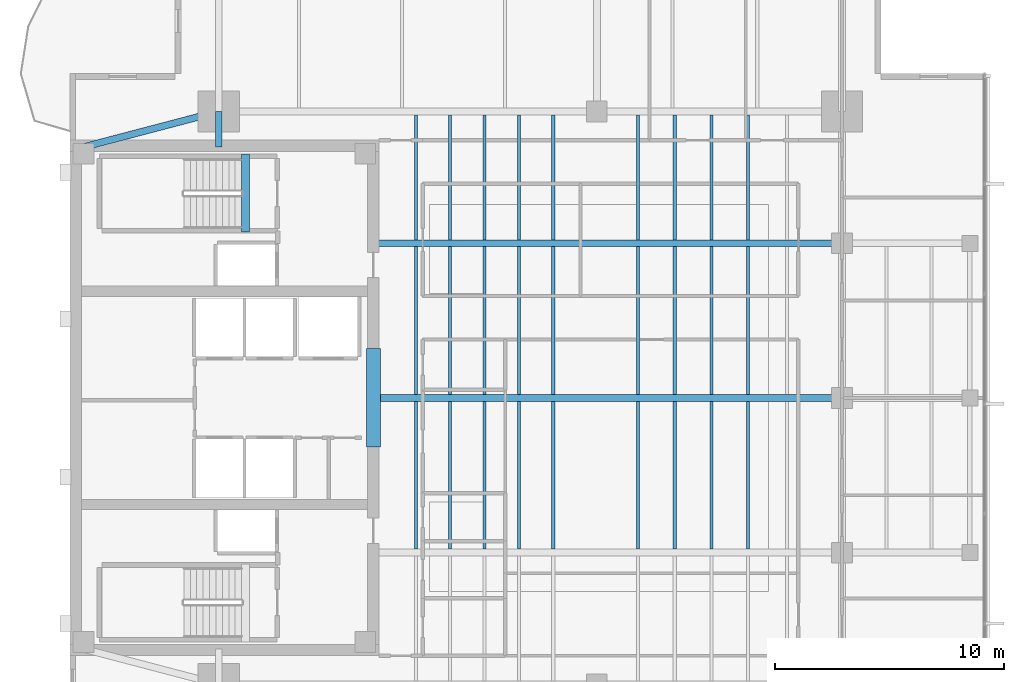
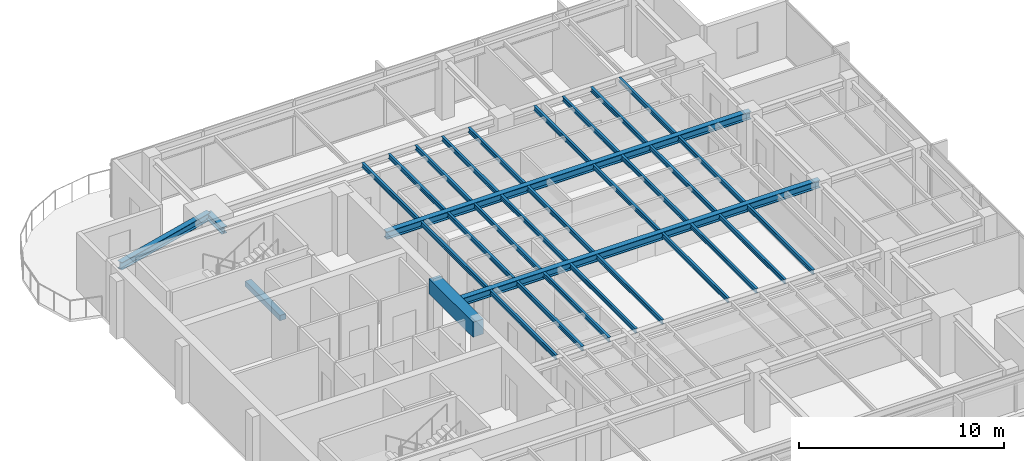
# One storey, part 3 of 13: 33 beams.
"""IFC4 building model written with IfcOpenShell, lengths in metres."""

from ifc_helpers import new_model, si_unit, direction, frame, origin, origin_2d, place, context, subcontext, project, spatial, rectangle, i_section, extrude, material, material_profile, profile_set, type_object, element, save


model = new_model("IFC4")

# Units and contexts
model_context = context("Model", 3, precision=1e-05, world=origin(), true_north=direction((0.0, 1.0)))
body_context = subcontext(model_context, "Body", "Model", "MODEL_VIEW")
ifc_project = project(units=[si_unit("LENGTHUNIT", "METRE"), si_unit("AREAUNIT", "SQUARE_METRE"), si_unit("VOLUMEUNIT", "CUBIC_METRE"), si_unit("PLANEANGLEUNIT", "RADIAN"), si_unit("MASSUNIT", "GRAM", prefix="KILO")], contexts=[model_context])

# Site, building, storey
site_placement = place(None, origin())
site = spatial("IfcSite", under=ifc_project, at=site_placement, CompositionType="ELEMENT")
building_placement = place(site_placement, origin())
building = spatial("IfcBuilding", under=site, at=building_placement, Name="Kinhvarn Gate Tower", CompositionType="ELEMENT")
storey_placement = place(building_placement, frame((0.0, 0.0, 288.300048828125)))
storey = spatial("IfcBuildingStorey", under=building, at=storey_placement, Name="L77", CompositionType="ELEMENT", Elevation=288.300048828125)

# Beams
ifc_material_1 = material(Name="Concrete C60/75", Category="concrete")
ifc_material_profile_1 = material_profile(ifc_material_1, rectangle(XDim=0.60009765625, YDim=0.89990234375, at=origin_2d()), Name="RC 600x900")
ifc_profile_set_1 = profile_set([ifc_material_profile_1], Name="Concrete C60/75")
beam_type_1 = type_object("IfcBeamType", Name="BM-CB-900", PredefinedType="LINTEL", material=ifc_profile_set_1)
beam_1_placement = place(storey_placement, frame((17.75, 23.10009765625, 2.93994140625), z_axis=(0.0, 1.0, 0.0), x_axis=(-1.0, 0.0, 0.0)))
element("IfcBeam", 1, at=beam_1_placement, inside=storey, type_object=beam_type_1, Name="Core East Portal Coupling Beam L77", PredefinedType="LINTEL", context=body_context, shape_type="SweptSolid", body=[
    extrude(rectangle(XDim=0.60009765625, YDim=0.89990234375, at=origin_2d()), origin(), (0.0, 0.0, 1.0), 4.2998046875),
])
ifc_material_2 = material(Name="Concrete C50/60", Category="concrete")
ifc_material_profile_2 = material_profile(ifc_material_2, rectangle(XDim=0.340087890625, YDim=0.320068359375, at=origin_2d()), Name="RC 340x320")
ifc_profile_set_2 = profile_set([ifc_material_profile_2], Name="Concrete C50/60")
beam_type_2 = type_object("IfcBeamType", Name="BM-LND-500", PredefinedType="BEAM", material=ifc_profile_set_2)
beam_2_placement = place(storey_placement, frame((12.1650390625, 32.5, -0.16015625), z_axis=(0.0, 1.0, 0.0), x_axis=(-1.0, 0.0, 0.0)))
element("IfcBeam", 2, at=beam_2_placement, inside=storey, type_object=beam_type_2, Name="Stair ST2 Landing Nosing Beam (L77)", PredefinedType="BEAM", context=body_context, shape_type="SweptSolid", body=[
    extrude(rectangle(XDim=0.340087890625, YDim=0.320068359375, at=origin_2d()), origin(), (0.0, 0.0, 1.0), 3.39990234375),
])
ifc_material_3 = material(Name="Steel S355", Category="steel")
ifc_material_profile_3 = material_profile(ifc_material_3, i_section(OverallWidth=0.300048828125, OverallDepth=0.39990234375, WebThickness=0.013427734375, FlangeThickness=0.02392578125, at=origin_2d()), Name="HEB 400")
ifc_profile_set_3 = profile_set([ifc_material_profile_3], Name="Steel S355")
beam_type_3 = type_object("IfcBeamType", Name="STL-HEB400", PredefinedType="BEAM", material=ifc_profile_set_3)
beam_3_placement = place(storey_placement, frame((11.0, 36.199951171875, 3.18994140625), z_axis=(0.0, 1.0, 0.0), x_axis=(-1.0, 0.0, 0.0)))
element("IfcBeam", 3, at=beam_3_placement, inside=storey, type_object=beam_type_3, Name="Floor Beam PG-12 (L77 MCW-CN)", PredefinedType="BEAM", context=body_context, shape_type="SweptSolid", body=[
    extrude(i_section(OverallWidth=0.300048828125, OverallDepth=0.39990234375, WebThickness=0.013427734375, FlangeThickness=0.02392578125, at=origin_2d()), origin(), (0.0, 0.0, 1.0), 1.550048828125),
])
ifc_material_profile_4 = material_profile(ifc_material_3, i_section(OverallWidth=0.300048828125, OverallDepth=0.449951171875, WebThickness=0.013916015625, FlangeThickness=0.02587890625, at=origin_2d()), Name="HEB 450")
ifc_profile_set_4 = profile_set([ifc_material_profile_4], Name="Steel S355")
beam_type_4 = type_object("IfcBeamType", Name="STL-HEB450", PredefinedType="BEAM", material=ifc_profile_set_4)
beam_4_placement = place(storey_placement, frame((5.10009765625, 36.199951171875, 3.1650390625), z_axis=(0.967177623957, 0.254101246979, 0.0), x_axis=(-0.254101246979, 0.967177623957, 0.0)))
element("IfcBeam", 4, at=beam_4_placement, inside=storey, type_object=beam_type_4, Name="Floor Beam PG-13 (L77 MG-NW-DIAG)", PredefinedType="BEAM", context=body_context, shape_type="SweptSolid", body=[
    extrude(i_section(OverallWidth=0.300048828125, OverallDepth=0.449951171875, WebThickness=0.013916015625, FlangeThickness=0.02587890625, at=origin_2d()), origin(), (0.0, 0.0, 1.0), 6.10009765625),
])
beam_5_placement = place(storey_placement, frame((18.050048828125, 25.25, 3.1650390625), z_axis=(1.0, 0.0, 0.0), x_axis=(0.0, 1.0, 0.0)))
element("IfcBeam", 5, at=beam_5_placement, inside=storey, type_object=beam_type_4, Name="Floor Beam PG-13 (L77 EW1-Y25)", PredefinedType="BEAM", context=body_context, shape_type="SweptSolid", body=[
    extrude(i_section(OverallWidth=0.300048828125, OverallDepth=0.449951171875, WebThickness=0.013916015625, FlangeThickness=0.02587890625, at=origin_2d()), origin(), (0.0, 0.0, 1.0), 20.14990234375),
])
beam_6_placement = place(storey_placement, frame((17.64990234375, 32.0, 3.1650390625), z_axis=(1.0, 0.0, 0.0), x_axis=(0.0, 1.0, 0.0)))
element("IfcBeam", 6, at=beam_6_placement, inside=storey, type_object=beam_type_4, Name="Floor Beam PG-13 (L77 EW1-Y32)", PredefinedType="BEAM", context=body_context, shape_type="SweptSolid", body=[
    extrude(i_section(OverallWidth=0.300048828125, OverallDepth=0.449951171875, WebThickness=0.013916015625, FlangeThickness=0.02587890625, at=origin_2d()), origin(), (0.0, 0.0, 1.0), 20.550048828125),
])
ifc_material_profile_5 = material_profile(ifc_material_3, i_section(OverallWidth=0.135009765625, OverallDepth=0.27001953125, WebThickness=0.006591796875, FlangeThickness=0.01025390625, at=origin_2d()), Name="IPE 270")
ifc_profile_set_5 = profile_set([ifc_material_profile_5], Name="Steel S355")
beam_type_5 = type_object("IfcBeamType", Name="STL-IPE270", PredefinedType="JOIST", material=ifc_profile_set_5)
for number, where, z_axis, x_axis, name in (
    (7, (19.60009765625, 18.64990234375, 3.2548828125), (0.0, 1.0, 0.0), (-1.0, 0.0, 0.0), "Floor Joist SB-01 (L77 JC-X196-1)"),
    (8, (19.60009765625, 25.39990234375, 3.2548828125), (0.0, 1.0, 0.0), (-1.0, 0.0, 0.0), "Floor Joist SB-01 (L77 JC-X196-2)"),
):
    element("IfcBeam", number, at=place(storey_placement, frame(where, z_axis=z_axis, x_axis=x_axis)), inside=storey, type_object=beam_type_5, Name=name, PredefinedType="JOIST", context=body_context, shape_type="SweptSolid", body=[
        extrude(i_section(OverallWidth=0.135009765625, OverallDepth=0.27001953125, WebThickness=0.006591796875, FlangeThickness=0.01025390625, at=origin_2d()), origin(), (0.0, 0.0, 1.0), 6.4501953125),
    ])
beam_7_placement = place(storey_placement, frame((19.60009765625, 32.14990234375, 3.2548828125), z_axis=(0.0, 1.0, 0.0), x_axis=(-1.0, 0.0, 0.0)))
element("IfcBeam", 9, at=beam_7_placement, inside=storey, type_object=beam_type_5, Name="Floor Joist SB-01 (L77 JC-X196-3)", PredefinedType="JOIST", context=body_context, shape_type="SweptSolid", body=[
    extrude(i_section(OverallWidth=0.135009765625, OverallDepth=0.27001953125, WebThickness=0.006591796875, FlangeThickness=0.01025390625, at=origin_2d()), origin(), (0.0, 0.0, 1.0), 5.4501953125),
])
for number, where, z_axis, x_axis, name in (
    (10, (21.10009765625, 18.64990234375, 3.2548828125), (0.0, 1.0, 0.0), (-1.0, 0.0, 0.0), "Floor Joist SB-01 (L77 JC-X211-1)"),
    (11, (21.10009765625, 25.39990234375, 3.2548828125), (0.0, 1.0, 0.0), (-1.0, 0.0, 0.0), "Floor Joist SB-01 (L77 JC-X211-2)"),
):
    element("IfcBeam", number, at=place(storey_placement, frame(where, z_axis=z_axis, x_axis=x_axis)), inside=storey, type_object=beam_type_5, Name=name, PredefinedType="JOIST", context=body_context, shape_type="SweptSolid", body=[
        extrude(i_section(OverallWidth=0.135009765625, OverallDepth=0.27001953125, WebThickness=0.006591796875, FlangeThickness=0.01025390625, at=origin_2d()), origin(), (0.0, 0.0, 1.0), 6.4501953125),
    ])
beam_8_placement = place(storey_placement, frame((21.10009765625, 32.14990234375, 3.2548828125), z_axis=(0.0, 1.0, 0.0), x_axis=(-1.0, 0.0, 0.0)))
element("IfcBeam", 12, at=beam_8_placement, inside=storey, type_object=beam_type_5, Name="Floor Joist SB-01 (L77 JC-X211-3)", PredefinedType="JOIST", context=body_context, shape_type="SweptSolid", body=[
    extrude(i_section(OverallWidth=0.135009765625, OverallDepth=0.27001953125, WebThickness=0.006591796875, FlangeThickness=0.01025390625, at=origin_2d()), origin(), (0.0, 0.0, 1.0), 5.4501953125),
])
for number, where, z_axis, x_axis, name in (
    (13, (22.60009765625, 18.64990234375, 3.2548828125), (0.0, 1.0, 0.0), (-1.0, 0.0, 0.0), "Floor Joist SB-01 (L77 JC-X226-1)"),
    (14, (22.60009765625, 25.39990234375, 3.2548828125), (0.0, 1.0, 0.0), (-1.0, 0.0, 0.0), "Floor Joist SB-01 (L77 JC-X226-2)"),
):
    element("IfcBeam", number, at=place(storey_placement, frame(where, z_axis=z_axis, x_axis=x_axis)), inside=storey, type_object=beam_type_5, Name=name, PredefinedType="JOIST", context=body_context, shape_type="SweptSolid", body=[
        extrude(i_section(OverallWidth=0.135009765625, OverallDepth=0.27001953125, WebThickness=0.006591796875, FlangeThickness=0.01025390625, at=origin_2d()), origin(), (0.0, 0.0, 1.0), 6.4501953125),
    ])
beam_9_placement = place(storey_placement, frame((22.60009765625, 32.14990234375, 3.2548828125), z_axis=(0.0, 1.0, 0.0), x_axis=(-1.0, 0.0, 0.0)))
element("IfcBeam", 15, at=beam_9_placement, inside=storey, type_object=beam_type_5, Name="Floor Joist SB-01 (L77 JC-X226-3)", PredefinedType="JOIST", context=body_context, shape_type="SweptSolid", body=[
    extrude(i_section(OverallWidth=0.135009765625, OverallDepth=0.27001953125, WebThickness=0.006591796875, FlangeThickness=0.01025390625, at=origin_2d()), origin(), (0.0, 0.0, 1.0), 5.4501953125),
])
for number, where, z_axis, x_axis, name in (
    (16, (24.10009765625, 18.64990234375, 3.2548828125), (0.0, 1.0, 0.0), (-1.0, 0.0, 0.0), "Floor Joist SB-01 (L77 JC-X241-1)"),
    (17, (24.10009765625, 25.39990234375, 3.2548828125), (0.0, 1.0, 0.0), (-1.0, 0.0, 0.0), "Floor Joist SB-01 (L77 JC-X241-2)"),
):
    element("IfcBeam", number, at=place(storey_placement, frame(where, z_axis=z_axis, x_axis=x_axis)), inside=storey, type_object=beam_type_5, Name=name, PredefinedType="JOIST", context=body_context, shape_type="SweptSolid", body=[
        extrude(i_section(OverallWidth=0.135009765625, OverallDepth=0.27001953125, WebThickness=0.006591796875, FlangeThickness=0.01025390625, at=origin_2d()), origin(), (0.0, 0.0, 1.0), 6.4501953125),
    ])
beam_10_placement = place(storey_placement, frame((24.10009765625, 32.14990234375, 3.2548828125), z_axis=(0.0, 1.0, 0.0), x_axis=(-1.0, 0.0, 0.0)))
element("IfcBeam", 18, at=beam_10_placement, inside=storey, type_object=beam_type_5, Name="Floor Joist SB-01 (L77 JC-X241-3)", PredefinedType="JOIST", context=body_context, shape_type="SweptSolid", body=[
    extrude(i_section(OverallWidth=0.135009765625, OverallDepth=0.27001953125, WebThickness=0.006591796875, FlangeThickness=0.01025390625, at=origin_2d()), origin(), (0.0, 0.0, 1.0), 5.4501953125),
])
for number, where, z_axis, x_axis, name in (
    (19, (25.60009765625, 18.64990234375, 3.2548828125), (0.0, 1.0, 0.0), (-1.0, 0.0, 0.0), "Floor Joist SB-01 (L77 JC-X256-1)"),
    (20, (25.60009765625, 25.39990234375, 3.2548828125), (0.0, 1.0, 0.0), (-1.0, 0.0, 0.0), "Floor Joist SB-01 (L77 JC-X256-2)"),
):
    element("IfcBeam", number, at=place(storey_placement, frame(where, z_axis=z_axis, x_axis=x_axis)), inside=storey, type_object=beam_type_5, Name=name, PredefinedType="JOIST", context=body_context, shape_type="SweptSolid", body=[
        extrude(i_section(OverallWidth=0.135009765625, OverallDepth=0.27001953125, WebThickness=0.006591796875, FlangeThickness=0.01025390625, at=origin_2d()), origin(), (0.0, 0.0, 1.0), 6.4501953125),
    ])
beam_11_placement = place(storey_placement, frame((25.60009765625, 32.14990234375, 3.2548828125), z_axis=(0.0, 1.0, 0.0), x_axis=(-1.0, 0.0, 0.0)))
element("IfcBeam", 21, at=beam_11_placement, inside=storey, type_object=beam_type_5, Name="Floor Joist SB-01 (L77 JC-X256-3)", PredefinedType="JOIST", context=body_context, shape_type="SweptSolid", body=[
    extrude(i_section(OverallWidth=0.135009765625, OverallDepth=0.27001953125, WebThickness=0.006591796875, FlangeThickness=0.01025390625, at=origin_2d()), origin(), (0.0, 0.0, 1.0), 5.4501953125),
])
for number, where, z_axis, x_axis, name in (
    (22, (29.300048828125, 18.64990234375, 3.2548828125), (0.0, 1.0, 0.0), (-1.0, 0.0, 0.0), "Floor Joist SB-01 (L77 JC-X293-1)"),
    (23, (29.300048828125, 25.39990234375, 3.2548828125), (0.0, 1.0, 0.0), (-1.0, 0.0, 0.0), "Floor Joist SB-01 (L77 JC-X293-2)"),
):
    element("IfcBeam", number, at=place(storey_placement, frame(where, z_axis=z_axis, x_axis=x_axis)), inside=storey, type_object=beam_type_5, Name=name, PredefinedType="JOIST", context=body_context, shape_type="SweptSolid", body=[
        extrude(i_section(OverallWidth=0.135009765625, OverallDepth=0.27001953125, WebThickness=0.006591796875, FlangeThickness=0.01025390625, at=origin_2d()), origin(), (0.0, 0.0, 1.0), 6.4501953125),
    ])
beam_12_placement = place(storey_placement, frame((29.300048828125, 32.14990234375, 3.2548828125), z_axis=(0.0, 1.0, 0.0), x_axis=(-1.0, 0.0, 0.0)))
element("IfcBeam", 24, at=beam_12_placement, inside=storey, type_object=beam_type_5, Name="Floor Joist SB-01 (L77 JC-X293-3)", PredefinedType="JOIST", context=body_context, shape_type="SweptSolid", body=[
    extrude(i_section(OverallWidth=0.135009765625, OverallDepth=0.27001953125, WebThickness=0.006591796875, FlangeThickness=0.01025390625, at=origin_2d()), origin(), (0.0, 0.0, 1.0), 5.4501953125),
])
for number, where, z_axis, x_axis, name in (
    (25, (30.89990234375, 18.64990234375, 3.2548828125), (0.0, 1.0, 0.0), (-1.0, 0.0, 0.0), "Floor Joist SB-01 (L77 JC-X309-1)"),
    (26, (30.89990234375, 25.39990234375, 3.2548828125), (0.0, 1.0, 0.0), (-1.0, 0.0, 0.0), "Floor Joist SB-01 (L77 JC-X309-2)"),
):
    element("IfcBeam", number, at=place(storey_placement, frame(where, z_axis=z_axis, x_axis=x_axis)), inside=storey, type_object=beam_type_5, Name=name, PredefinedType="JOIST", context=body_context, shape_type="SweptSolid", body=[
        extrude(i_section(OverallWidth=0.135009765625, OverallDepth=0.27001953125, WebThickness=0.006591796875, FlangeThickness=0.01025390625, at=origin_2d()), origin(), (0.0, 0.0, 1.0), 6.4501953125),
    ])
beam_13_placement = place(storey_placement, frame((30.89990234375, 32.14990234375, 3.2548828125), z_axis=(0.0, 1.0, 0.0), x_axis=(-1.0, 0.0, 0.0)))
element("IfcBeam", 27, at=beam_13_placement, inside=storey, type_object=beam_type_5, Name="Floor Joist SB-01 (L77 JC-X309-3)", PredefinedType="JOIST", context=body_context, shape_type="SweptSolid", body=[
    extrude(i_section(OverallWidth=0.135009765625, OverallDepth=0.27001953125, WebThickness=0.006591796875, FlangeThickness=0.01025390625, at=origin_2d()), origin(), (0.0, 0.0, 1.0), 5.4501953125),
])
for number, where, z_axis, x_axis, name in (
    (28, (32.5, 18.64990234375, 3.2548828125), (0.0, 1.0, 0.0), (-1.0, 0.0, 0.0), "Floor Joist SB-01 (L77 JC-X325-1)"),
    (29, (32.5, 25.39990234375, 3.2548828125), (0.0, 1.0, 0.0), (-1.0, 0.0, 0.0), "Floor Joist SB-01 (L77 JC-X325-2)"),
):
    element("IfcBeam", number, at=place(storey_placement, frame(where, z_axis=z_axis, x_axis=x_axis)), inside=storey, type_object=beam_type_5, Name=name, PredefinedType="JOIST", context=body_context, shape_type="SweptSolid", body=[
        extrude(i_section(OverallWidth=0.135009765625, OverallDepth=0.27001953125, WebThickness=0.006591796875, FlangeThickness=0.01025390625, at=origin_2d()), origin(), (0.0, 0.0, 1.0), 6.4501953125),
    ])
beam_14_placement = place(storey_placement, frame((32.5, 32.14990234375, 3.2548828125), z_axis=(0.0, 1.0, 0.0), x_axis=(-1.0, 0.0, 0.0)))
element("IfcBeam", 30, at=beam_14_placement, inside=storey, type_object=beam_type_5, Name="Floor Joist SB-01 (L77 JC-X325-3)", PredefinedType="JOIST", context=body_context, shape_type="SweptSolid", body=[
    extrude(i_section(OverallWidth=0.135009765625, OverallDepth=0.27001953125, WebThickness=0.006591796875, FlangeThickness=0.01025390625, at=origin_2d()), origin(), (0.0, 0.0, 1.0), 5.4501953125),
])
for number, where, z_axis, x_axis, name in (
    (31, (34.10009765625, 18.64990234375, 3.2548828125), (0.0, 1.0, 0.0), (-1.0, 0.0, 0.0), "Floor Joist SB-01 (L77 JC-X341-1)"),
    (32, (34.10009765625, 25.39990234375, 3.2548828125), (0.0, 1.0, 0.0), (-1.0, 0.0, 0.0), "Floor Joist SB-01 (L77 JC-X341-2)"),
):
    element("IfcBeam", number, at=place(storey_placement, frame(where, z_axis=z_axis, x_axis=x_axis)), inside=storey, type_object=beam_type_5, Name=name, PredefinedType="JOIST", context=body_context, shape_type="SweptSolid", body=[
        extrude(i_section(OverallWidth=0.135009765625, OverallDepth=0.27001953125, WebThickness=0.006591796875, FlangeThickness=0.01025390625, at=origin_2d()), origin(), (0.0, 0.0, 1.0), 6.4501953125),
    ])
beam_15_placement = place(storey_placement, frame((34.10009765625, 32.14990234375, 3.2548828125), z_axis=(0.0, 1.0, 0.0), x_axis=(-1.0, 0.0, 0.0)))
element("IfcBeam", 33, at=beam_15_placement, inside=storey, type_object=beam_type_5, Name="Floor Joist SB-01 (L77 JC-X341-3)", PredefinedType="JOIST", context=body_context, shape_type="SweptSolid", body=[
    extrude(i_section(OverallWidth=0.135009765625, OverallDepth=0.27001953125, WebThickness=0.006591796875, FlangeThickness=0.01025390625, at=origin_2d()), origin(), (0.0, 0.0, 1.0), 5.4501953125),
])

save(model, "model.ifc")
